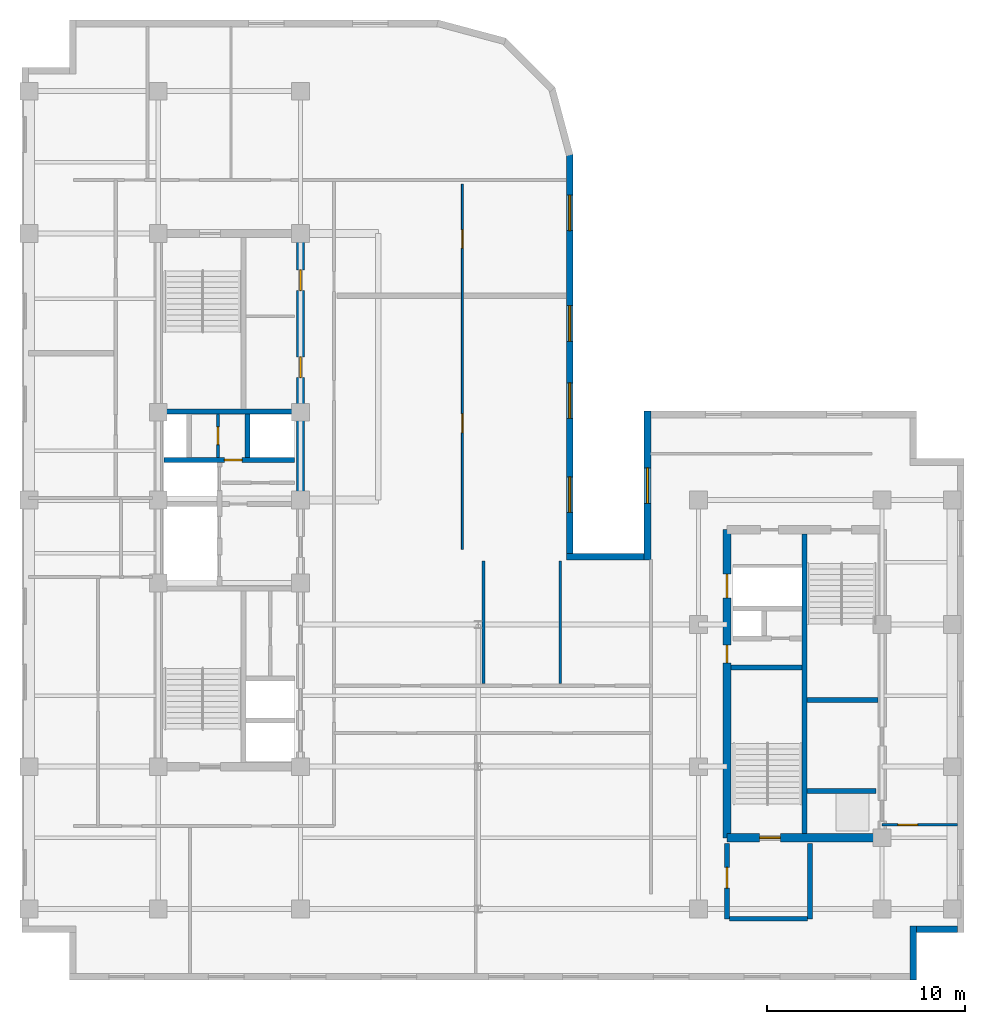
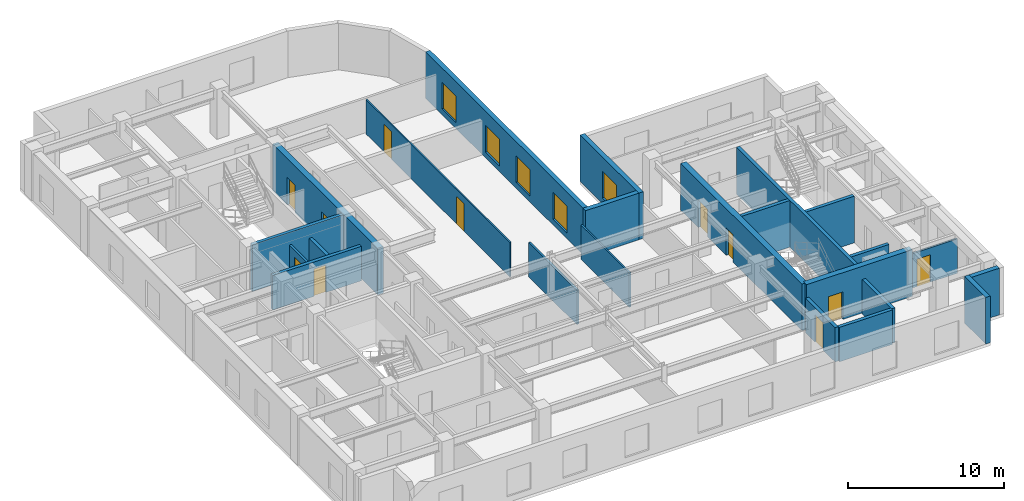
# One storey, part 5 of 11: 23 walls, 11 doors, 5 windows, 16 openings.
"""IFC4 building model written with IfcOpenShell, lengths in metres."""

from ifc_helpers import new_model, entity, si_unit, converted_unit, direction, frame, origin_with_axes, origin_2d_with_axis, place, context, subcontext, project, spatial, polyline, rectangle, outline, extrude, material, layer, layer_set, type_object, element, fill, save


model = new_model("IFC4")

# Units and contexts
model_context = context("Model", 3, precision=1e-05, world=origin_with_axes(), true_north=direction((0.0, 1.0)))
body_context = subcontext(model_context, "Body", "Model", "MODEL_VIEW")
ifc_project = project(units=[si_unit("LENGTHUNIT", "METRE"), si_unit("AREAUNIT", "SQUARE_METRE"), si_unit("VOLUMEUNIT", "CUBIC_METRE"), converted_unit("PLANEANGLEUNIT", "DEGREE", entity("IfcPlaneAngleMeasure", 0.017453292519943295), si_unit("PLANEANGLEUNIT", "RADIAN"), dimensions=[0, 0, 0, 0, 0, 0, 0]), si_unit("MASSUNIT", "GRAM", prefix="KILO"), si_unit("THERMODYNAMICTEMPERATUREUNIT", "KELVIN")], contexts=[model_context])

# Site, building, storey
site_placement = place(None, origin_with_axes())
site = spatial("IfcSite", under=ifc_project, at=site_placement, CompositionType="ELEMENT")
building_placement = place(site_placement, origin_with_axes())
building = spatial("IfcBuilding", under=site, at=building_placement, Name="Varnlund Millrace Tower", CompositionType="ELEMENT")
storey_placement = place(building_placement, frame((0.0, 0.0, 224.7), z_axis=(0.0, 0.0, 1.0), x_axis=(1.0, 0.0, 0.0)))
storey = spatial("IfcBuildingStorey", under=building, at=storey_placement, Name="L55", CompositionType="ELEMENT", Elevation=224.7)

# Wall, openings, doors
ifc_material_1 = material(Name="Concrete C60/75", Category="concrete")
ifc_layer_1 = layer(ifc_material_1, 0.42, Name="Concrete C60/75")
ifc_layer_set_1 = layer_set([ifc_layer_1], Name="Concrete C60/75")
wall_type_1 = type_object("IfcWallType", Name="Type-CoreWall-Shear-420-C60", PredefinedType="SHEAR", material=ifc_layer_set_1)
wall_1_placement = place(storey_placement, frame((18.6, 24.3, 0.0), z_axis=(0.0, 0.0, 1.0), x_axis=(0.0, 1.0, 0.0)))
wall_1 = element("IfcWall", 1, at=wall_1_placement, inside=storey, type_object=wall_type_1, Name="Type-CoreWall-Shear-420-C60", PredefinedType="SHEAR", context=body_context, shape_type="SweptSolid", body=[
    extrude(outline(polyline([(0.0, -0.21), (13.5, -0.21), (13.5, 0.21), (0.0, 0.21), (0.0, -0.21)])), origin_with_axes(), (0.0, 0.0, 1.0), 3.66),
])
opening_1_placement = place(wall_1_placement, frame((6.725, 0.0, 0.0), z_axis=(0.0, 0.0, 1.0), x_axis=(1.0, 0.0, 0.0)))
opening_1 = element("IfcOpeningElement", 2, at=opening_1_placement, cuts=wall_1, Name="Opening L55:DR-RECL-M1", PredefinedType="OPENING", context=body_context, shape_type="SweptSolid", body=[
    extrude(rectangle(XDim=1.05, YDim=0.44, at=origin_2d_with_axis()), origin_with_axes(), (0.0, 0.0, 1.0), 2.15),
])
opening_2_placement = place(wall_1_placement, frame((11.125, 0.0, 0.0), z_axis=(0.0, 0.0, 1.0), x_axis=(1.0, 0.0, 0.0)))
opening_2 = element("IfcOpeningElement", 3, at=opening_2_placement, cuts=wall_1, Name="Opening L55:DR-RECL-M2", PredefinedType="OPENING", context=body_context, shape_type="SweptSolid", body=[
    extrude(rectangle(XDim=1.05, YDim=0.44, at=origin_2d_with_axis()), origin_with_axes(), (0.0, 0.0, 1.0), 2.15),
])
ifc_material_2 = material(Name="Smoke-barrier hollow steel fire door", Category="steel")
door_type_1 = type_object("IfcDoorType", Name="Type-FireDoor-Lobby-1050X2150", OperationType="NOTDEFINED", PredefinedType="DOOR", material=ifc_material_2)
door_1_placement = place(wall_1_placement, frame((6.725, 0.0, 0.0), z_axis=(0.0, 0.0, 1.0), x_axis=(1.0, 0.0, 0.0)))
door_1 = element("IfcDoor", 4, at=door_1_placement, inside=storey, type_object=door_type_1, Name="Type-FireDoor-Lobby-1050X2150", OperationType="SINGLE_SWING_LEFT", OverallHeight=2.15, OverallWidth=1.05, PredefinedType="DOOR", context=body_context, shape_type="SweptSolid", body=[
    extrude(rectangle(XDim=1.05, YDim=0.09, at=origin_2d_with_axis()), origin_with_axes(), (0.0, 0.0, 1.0), 2.15),
])
fill(opening_1, door_1)
door_2_placement = place(wall_1_placement, frame((11.125, 0.0, 0.0), z_axis=(0.0, 0.0, 1.0), x_axis=(1.0, 0.0, 0.0)))
door_2 = element("IfcDoor", 5, at=door_2_placement, inside=storey, type_object=door_type_1, Name="Type-FireDoor-Lobby-1050X2150", OperationType="SINGLE_SWING_RIGHT", OverallHeight=2.15, OverallWidth=1.05, PredefinedType="DOOR", context=body_context, shape_type="SweptSolid", body=[
    extrude(rectangle(XDim=1.05, YDim=0.09, at=origin_2d_with_axis()), origin_with_axes(), (0.0, 0.0, 1.0), 2.15),
])
fill(opening_2, door_2)

wall_2_placement = place(storey_placement, frame((40.2, 7.2, 0.0), z_axis=(0.0, 0.0, 1.0), x_axis=(0.0, 1.0, 0.0)))
wall_2 = element("IfcWall", 6, at=wall_2_placement, inside=storey, type_object=wall_type_1, Name="Type-CoreWall-Shear-420-C60", PredefinedType="SHEAR", context=body_context, shape_type="SweptSolid", body=[
    extrude(outline(polyline([(0.0, -0.21), (15.6, -0.21), (15.6, 0.21), (0.0, 0.21), (0.0, -0.21)])), origin_with_axes(), (0.0, 0.0, 1.0), 3.66),
])
opening_3_placement = place(wall_2_placement, frame((12.75, 0.0, 0.0), z_axis=(0.0, 0.0, 1.0), x_axis=(1.0, 0.0, 0.0)))
opening_3 = element("IfcOpeningElement", 7, at=opening_3_placement, cuts=wall_2, Name="Opening L55:LD-SRV2", PredefinedType="OPENING", context=body_context, shape_type="SweptSolid", body=[
    extrude(rectangle(XDim=1.2, YDim=0.44, at=origin_2d_with_axis()), origin_with_axes(), (0.0, 0.0, 1.0), 2.15),
])
opening_4_placement = place(wall_2_placement, frame((9.3, 0.0, 0.0), z_axis=(0.0, 0.0, 1.0), x_axis=(1.0, 0.0, 0.0)))
opening_4 = element("IfcOpeningElement", 8, at=opening_4_placement, cuts=wall_2, Name="Opening L55:DR-CB-JAN", PredefinedType="OPENING", context=body_context, shape_type="SweptSolid", body=[
    extrude(rectangle(XDim=0.9, YDim=0.44, at=origin_2d_with_axis()), origin_with_axes(), (0.0, 0.0, 1.0), 2.15),
])
ifc_material_3 = material(Name="Fire-rated hollow steel service closet door", Category="steel")
door_type_2 = type_object("IfcDoorType", Name="Type-FireDoor-Closet-900X2150", OperationType="NOTDEFINED", PredefinedType="DOOR", material=ifc_material_3)
door_3_placement = place(wall_2_placement, frame((9.3, 0.0, 0.0), z_axis=(0.0, 0.0, 1.0), x_axis=(1.0, 0.0, 0.0)))
door_3 = element("IfcDoor", 9, at=door_3_placement, inside=storey, type_object=door_type_2, Name="Type-FireDoor-Closet-900X2150", OperationType="SINGLE_SWING_RIGHT", OverallHeight=2.15, OverallWidth=0.9, PredefinedType="DOOR", context=body_context, shape_type="SweptSolid", body=[
    extrude(rectangle(XDim=0.9, YDim=0.09, at=origin_2d_with_axis()), origin_with_axes(), (0.0, 0.0, 1.0), 2.15),
])
fill(opening_4, door_3)
ifc_material_4 = material(Name="Heavy-duty freight sliding landing door")
door_type_3 = type_object("IfcDoorType", Name="Type-LiftLandingDoor-Service-1200X2150", OperationType="NOTDEFINED", PredefinedType="DOOR", material=ifc_material_4)
door_4_placement = place(wall_2_placement, frame((12.75, 0.0, 0.0), z_axis=(0.0, 0.0, 1.0), x_axis=(1.0, 0.0, 0.0)))
door_4 = element("IfcDoor", 10, at=door_4_placement, inside=storey, type_object=door_type_3, Name="Type-LiftLandingDoor-Service-1200X2150", OperationType="DOUBLE_DOOR_SLIDING", OverallHeight=2.15, OverallWidth=1.2, PredefinedType="DOOR", context=body_context, shape_type="SweptSolid", body=[
    extrude(rectangle(XDim=1.2, YDim=0.09, at=origin_2d_with_axis()), origin_with_axes(), (0.0, 0.0, 1.0), 2.15),
])
fill(opening_3, door_4)

# Wall, opening, door
wall_3_placement = place(storey_placement, frame((40.2, 7.2, 0.0), z_axis=(0.0, 0.0, 1.0), x_axis=(1.0, 0.0, 0.0)))
wall_3 = element("IfcWall", 11, at=wall_3_placement, inside=storey, type_object=wall_type_1, Name="Type-CoreWall-Shear-420-C60", PredefinedType="SHEAR", context=body_context, shape_type="SweptSolid", body=[
    extrude(outline(polyline([(0.0, -0.21), (7.85, -0.21), (7.85, 0.21), (0.0, 0.21), (0.0, -0.21)])), origin_with_axes(), (0.0, 0.0, 1.0), 3.66),
])
opening_5_placement = place(wall_3_placement, frame((2.175, 0.0, 0.0), z_axis=(0.0, 0.0, 1.0), x_axis=(1.0, 0.0, 0.0)))
opening_5 = element("IfcOpeningElement", 12, at=opening_5_placement, cuts=wall_3, Name="Opening L55:DR-STB1", PredefinedType="OPENING", context=body_context, shape_type="SweptSolid", body=[
    extrude(rectangle(XDim=1.05, YDim=0.44, at=origin_2d_with_axis()), origin_with_axes(), (0.0, 0.0, 1.0), 2.15),
])
ifc_material_5 = material(Name="Fire-rated hollow steel door", Category="steel")
door_type_4 = type_object("IfcDoorType", Name="Type-FireDoor-Stair-1050X2150", OperationType="NOTDEFINED", PredefinedType="DOOR", material=ifc_material_5)
door_5_placement = place(wall_3_placement, frame((2.175, 0.0, 0.0), z_axis=(0.0, 0.0, 1.0), x_axis=(1.0, 0.0, 0.0)))
door_5 = element("IfcDoor", 13, at=door_5_placement, inside=storey, type_object=door_type_4, Name="Type-FireDoor-Stair-1050X2150", OperationType="SINGLE_SWING_LEFT", OverallHeight=2.15, OverallWidth=1.05, PredefinedType="DOOR", context=body_context, shape_type="SweptSolid", body=[
    extrude(rectangle(XDim=1.05, YDim=0.09, at=origin_2d_with_axis()), origin_with_axes(), (0.0, 0.0, 1.0), 2.15),
])
fill(opening_5, door_5)

# Wall, opening, window
ifc_material_6 = material(Name="Precast concrete C50/60", Category="concrete")
ifc_layer_2 = layer(ifc_material_6, 0.34, Name="Precast concrete C50/60")
ifc_layer_set_2 = layer_set([ifc_layer_2], Name="Precast concrete C50/60")
wall_type_2 = type_object("IfcWallType", Name="Type-ExtWall-Precast-Upper-340", PredefinedType="SOLIDWALL", material=ifc_layer_set_2)
wall_4_placement = place(storey_placement, frame((36.17, 21.26, 0.0), z_axis=(0.0, 0.0, 1.0), x_axis=(0.0, 1.0, 0.0)))
wall_4 = element("IfcWall", 14, at=wall_4_placement, inside=storey, type_object=wall_type_2, Name="Type-ExtWall-Precast-Upper-340", PredefinedType="SOLIDWALL", context=body_context, shape_type="SweptSolid", body=[
    extrude(outline(polyline([(0.0, -0.17), (7.54, -0.17), (7.54, 0.17), (0.0, 0.17), (0.0, -0.17)])), origin_with_axes(), (0.0, 0.0, 1.0), 3.66),
])
opening_6_placement = place(wall_4_placement, frame((3.77, 0.0, 0.45), z_axis=(0.0, 0.0, 1.0), x_axis=(1.0, 0.0, 0.0)))
opening_6 = element("IfcOpeningElement", 15, at=opening_6_placement, cuts=wall_4, Name="Opening L55:WN-01", PredefinedType="OPENING", context=body_context, shape_type="SweptSolid", body=[
    extrude(rectangle(XDim=1.8, YDim=0.36, at=origin_2d_with_axis()), origin_with_axes(), (0.0, 0.0, 1.0), 2.1),
])
ifc_material_7 = material(Name="Argon low-e triple glazing in thermally broken bronze frame", Category="glass")
window_type = type_object("IfcWindowType", Name="Type-Window-Punched-1800X2100", PartitioningType="SINGLE_PANEL", PredefinedType="WINDOW", material=ifc_material_7)
window_1_placement = place(wall_4_placement, frame((3.77, 0.0, 0.45), z_axis=(0.0, 0.0, 1.0), x_axis=(1.0, 0.0, 0.0)))
window_1 = element("IfcWindow", 16, at=window_1_placement, inside=storey, type_object=window_type, Name="Type-Window-Punched-1800X2100", OverallHeight=2.1, OverallWidth=1.8, PredefinedType="WINDOW", context=body_context, shape_type="SweptSolid", body=[
    extrude(rectangle(XDim=1.8, YDim=0.09, at=origin_2d_with_axis()), origin_with_axes(), (0.0, 0.0, 1.0), 2.1),
])
fill(opening_6, window_1)

# Walls
wall_5_placement = place(storey_placement, frame((51.86, 2.57, 0.0), z_axis=(0.0, 0.0, 1.0), x_axis=(-1.0, 0.0, 0.0)))
element("IfcWall", 17, at=wall_5_placement, inside=storey, type_object=wall_type_2, Name="Type-ExtWall-Precast-Upper-340", PredefinedType="SOLIDWALL", context=body_context, shape_type="SweptSolid", body=[
    extrude(outline(polyline([(0.0, -0.17), (2.06, -0.17), (2.06, 0.17), (0.0, 0.17), (0.0, -0.17)])), origin_with_axes(), (0.0, 0.0, 1.0), 3.66),
])
wall_6_placement = place(storey_placement, frame((49.63, 2.74, 0.0), z_axis=(0.0, 0.0, 1.0), x_axis=(0.0, -1.0, 0.0)))
element("IfcWall", 18, at=wall_6_placement, inside=storey, type_object=wall_type_2, Name="Type-ExtWall-Precast-Upper-340", PredefinedType="SOLIDWALL", context=body_context, shape_type="SweptSolid", body=[
    extrude(outline(polyline([(0.0, -0.17), (2.74, -0.17), (2.74, 0.17), (0.0, 0.17), (0.0, -0.17)])), origin_with_axes(), (0.0, 0.0, 1.0), 3.66),
])

# Wall, openings, windows
wall_7_placement = place(storey_placement, frame((32.23, 41.82, 0.0), z_axis=(0.0, 0.0, 1.0), x_axis=(0.0, -1.0, 0.0)))
wall_7 = element("IfcWall", 19, at=wall_7_placement, inside=storey, type_object=wall_type_2, Name="Type-ExtWall-Precast-Upper-340", PredefinedType="SOLIDWALL", context=body_context, shape_type="SweptSolid", body=[
    extrude(outline(polyline([(0.0, -0.17), (20.22, -0.17), (20.22, 0.17), (0.0, 0.17), (0.0, -0.17)])), origin_with_axes(), (0.0, 0.0, 1.0), 3.66),
])
opening_7_placement = place(wall_7_placement, frame((2.978, 0.0, 0.45), z_axis=(0.0, 0.0, 1.0), x_axis=(1.0, 0.0, 0.0)))
opening_7 = element("IfcOpeningElement", 20, at=opening_7_placement, cuts=wall_7, Name="Opening L55:WN-24", PredefinedType="OPENING", context=body_context, shape_type="SweptSolid", body=[
    extrude(rectangle(XDim=1.8, YDim=0.36, at=origin_2d_with_axis()), origin_with_axes(), (0.0, 0.0, 1.0), 2.1),
])
opening_8_placement = place(wall_7_placement, frame((8.582, 0.0, 0.45), z_axis=(0.0, 0.0, 1.0), x_axis=(1.0, 0.0, 0.0)))
opening_8 = element("IfcOpeningElement", 21, at=opening_8_placement, cuts=wall_7, Name="Opening L55:WN-25", PredefinedType="OPENING", context=body_context, shape_type="SweptSolid", body=[
    extrude(rectangle(XDim=1.8, YDim=0.36, at=origin_2d_with_axis()), origin_with_axes(), (0.0, 0.0, 1.0), 2.1),
])
opening_9_placement = place(wall_7_placement, frame((12.487, 0.0, 0.45), z_axis=(0.0, 0.0, 1.0), x_axis=(1.0, 0.0, 0.0)))
opening_9 = element("IfcOpeningElement", 22, at=opening_9_placement, cuts=wall_7, Name="Opening L55:WN-26", PredefinedType="OPENING", context=body_context, shape_type="SweptSolid", body=[
    extrude(rectangle(XDim=1.8, YDim=0.36, at=origin_2d_with_axis()), origin_with_axes(), (0.0, 0.0, 1.0), 2.1),
])
opening_10_placement = place(wall_7_placement, frame((17.243, 0.0, 0.45), z_axis=(0.0, 0.0, 1.0), x_axis=(1.0, 0.0, 0.0)))
opening_10 = element("IfcOpeningElement", 23, at=opening_10_placement, cuts=wall_7, Name="Opening L55:WN-27", PredefinedType="OPENING", context=body_context, shape_type="SweptSolid", body=[
    extrude(rectangle(XDim=1.8, YDim=0.36, at=origin_2d_with_axis()), origin_with_axes(), (0.0, 0.0, 1.0), 2.1),
])
window_2_placement = place(wall_7_placement, frame((2.978, 0.0, 0.45), z_axis=(0.0, 0.0, 1.0), x_axis=(1.0, 0.0, 0.0)))
window_2 = element("IfcWindow", 24, at=window_2_placement, inside=storey, type_object=window_type, Name="Type-Window-Punched-1800X2100", OverallHeight=2.1, OverallWidth=1.8, PredefinedType="WINDOW", context=body_context, shape_type="SweptSolid", body=[
    extrude(rectangle(XDim=1.8, YDim=0.09, at=origin_2d_with_axis()), origin_with_axes(), (0.0, 0.0, 1.0), 2.1),
])
fill(opening_7, window_2)
window_3_placement = place(wall_7_placement, frame((8.582, 0.0, 0.45), z_axis=(0.0, 0.0, 1.0), x_axis=(1.0, 0.0, 0.0)))
window_3 = element("IfcWindow", 25, at=window_3_placement, inside=storey, type_object=window_type, Name="Type-Window-Punched-1800X2100", OverallHeight=2.1, OverallWidth=1.8, PredefinedType="WINDOW", context=body_context, shape_type="SweptSolid", body=[
    extrude(rectangle(XDim=1.8, YDim=0.09, at=origin_2d_with_axis()), origin_with_axes(), (0.0, 0.0, 1.0), 2.1),
])
fill(opening_8, window_3)
window_4_placement = place(wall_7_placement, frame((12.487, 0.0, 0.45), z_axis=(0.0, 0.0, 1.0), x_axis=(1.0, 0.0, 0.0)))
window_4 = element("IfcWindow", 26, at=window_4_placement, inside=storey, type_object=window_type, Name="Type-Window-Punched-1800X2100", OverallHeight=2.1, OverallWidth=1.8, PredefinedType="WINDOW", context=body_context, shape_type="SweptSolid", body=[
    extrude(rectangle(XDim=1.8, YDim=0.09, at=origin_2d_with_axis()), origin_with_axes(), (0.0, 0.0, 1.0), 2.1),
])
fill(opening_9, window_4)
window_5_placement = place(wall_7_placement, frame((17.243, 0.0, 0.45), z_axis=(0.0, 0.0, 1.0), x_axis=(1.0, 0.0, 0.0)))
window_5 = element("IfcWindow", 27, at=window_5_placement, inside=storey, type_object=window_type, Name="Type-Window-Punched-1800X2100", OverallHeight=2.1, OverallWidth=1.8, PredefinedType="WINDOW", context=body_context, shape_type="SweptSolid", body=[
    extrude(rectangle(XDim=1.8, YDim=0.09, at=origin_2d_with_axis()), origin_with_axes(), (0.0, 0.0, 1.0), 2.1),
])
fill(opening_10, window_5)

# Wall
wall_8_placement = place(storey_placement, frame((32.06, 21.43, 0.0), z_axis=(0.0, 0.0, 1.0), x_axis=(1.0, 0.0, 0.0)))
element("IfcWall", 28, at=wall_8_placement, inside=storey, type_object=wall_type_2, Name="Type-ExtWall-Precast-Upper-340", PredefinedType="SOLIDWALL", context=body_context, shape_type="SweptSolid", body=[
    extrude(outline(polyline([(0.0, -0.17), (3.94, -0.17), (3.94, 0.17), (0.0, 0.17), (0.0, -0.17)])), origin_with_axes(), (0.0, 0.0, 1.0), 3.66),
])

# Wall, opening, door
ifc_material_8 = material(Name="Fire-rated gypsum board on cold-formed steel framing", Category="steel")
ifc_layer_3 = layer(ifc_material_8, 0.16, Name="Fire-rated gypsum board on cold-formed steel framing")
ifc_layer_set_3 = layer_set([ifc_layer_3], Name="Fire-rated gypsum board on cold-formed steel framing")
wall_type_3 = type_object("IfcWallType", Name="Type-Partition-Corridor-160", PredefinedType="PARTITIONING", material=ifc_layer_set_3)
wall_9_placement = place(storey_placement, frame((14.42, 26.45, 0.0), z_axis=(0.0, 0.0, 1.0), x_axis=(0.0, 1.0, 0.0)))
wall_9 = element("IfcWall", 29, at=wall_9_placement, inside=storey, type_object=wall_type_3, Name="Type-Partition-Corridor-160", PredefinedType="PARTITIONING", context=body_context, shape_type="SweptSolid", body=[
    extrude(outline(polyline([(0.0, -0.08), (2.2, -0.08), (2.2, 0.08), (0.0, 0.08), (0.0, -0.08)])), origin_with_axes(), (0.0, 0.0, 1.0), 2.7),
])
opening_11_placement = place(wall_9_placement, frame((1.1, 0.0, 0.0), z_axis=(0.0, 0.0, 1.0), x_axis=(1.0, 0.0, 0.0)))
opening_11 = element("IfcOpeningElement", 30, at=opening_11_placement, cuts=wall_9, Name="Opening L55:DR-CA-EL2", PredefinedType="OPENING", context=body_context, shape_type="SweptSolid", body=[
    extrude(rectangle(XDim=0.9, YDim=0.18, at=origin_2d_with_axis()), origin_with_axes(), (0.0, 0.0, 1.0), 2.15),
])
ifc_material_9 = material(Name="Painted steel riser and closet door", Category="steel")
door_type_5 = type_object("IfcDoorType", Name="Type-IntDoor-Closet-900X2150", OperationType="NOTDEFINED", PredefinedType="DOOR", material=ifc_material_9)
door_6_placement = place(wall_9_placement, frame((1.1, 0.0, 0.0), z_axis=(0.0, 0.0, 1.0), x_axis=(1.0, 0.0, 0.0)))
door_6 = element("IfcDoor", 31, at=door_6_placement, inside=storey, type_object=door_type_5, Name="Type-IntDoor-Closet-900X2150", OperationType="SINGLE_SWING_LEFT", OverallHeight=2.15, OverallWidth=0.9, PredefinedType="DOOR", context=body_context, shape_type="SweptSolid", body=[
    extrude(rectangle(XDim=0.9, YDim=0.09, at=origin_2d_with_axis()), origin_with_axes(), (0.0, 0.0, 1.0), 2.15),
])
fill(opening_11, door_6)

# Wall
ifc_material_10 = material(Name="Acoustic STC-50 gypsum board partition", Category="gypsum")
ifc_layer_4 = layer(ifc_material_10, 0.15, Name="Acoustic STC-50 gypsum board partition")
ifc_layer_set_4 = layer_set([ifc_layer_4], Name="Acoustic STC-50 gypsum board partition")
wall_type_4 = type_object("IfcWallType", Name="Type-Partition-Demising-150", PredefinedType="PARTITIONING", material=ifc_layer_set_4)
wall_10_placement = place(storey_placement, frame((27.873, 15.02, 0.0), z_axis=(0.0, 0.0, 1.0), x_axis=(0.0, 1.0, 0.0)))
element("IfcWall", 32, at=wall_10_placement, inside=storey, type_object=wall_type_4, Name="Type-Partition-Demising-150", PredefinedType="PARTITIONING", context=body_context, shape_type="SweptSolid", body=[
    extrude(outline(polyline([(0.0, -0.075), (6.2, -0.075), (6.2, 0.075), (0.0, 0.075), (0.0, -0.075)])), origin_with_axes(), (0.0, 0.0, 1.0), 2.7),
])

# Wall, openings, doors
ifc_material_11 = material(Name="Architectural bronze and acoustic glass office front", Category="glass")
ifc_layer_5 = layer(ifc_material_11, 0.1, Name="Architectural bronze and acoustic glass office front")
ifc_layer_set_5 = layer_set([ifc_layer_5], Name="Architectural bronze and acoustic glass office front")
wall_type_5 = type_object("IfcWallType", Name="Type-Partition-Glazed-100", PredefinedType="PARTITIONING", material=ifc_layer_set_5)
wall_11_placement = place(storey_placement, frame((26.8, 21.8, 0.0), z_axis=(0.0, 0.0, 1.0), x_axis=(0.0, 1.0, 0.0)))
wall_11 = element("IfcWall", 33, at=wall_11_placement, inside=storey, type_object=wall_type_5, Name="Type-Partition-Glazed-100", PredefinedType="PARTITIONING", context=body_context, shape_type="SweptSolid", body=[
    extrude(outline(polyline([(0.0, -0.05), (18.5, -0.05), (18.5, 0.05), (0.0, 0.05), (0.0, -0.05)])), origin_with_axes(), (0.0, 0.0, 1.0), 2.7),
])
opening_12_placement = place(wall_11_placement, frame((6.392, 0.0, 0.0), z_axis=(0.0, 0.0, 1.0), x_axis=(1.0, 0.0, 0.0)))
opening_12 = element("IfcOpeningElement", 34, at=opening_12_placement, cuts=wall_11, Name="Opening L55:DR-FLR-S01", PredefinedType="OPENING", context=body_context, shape_type="SweptSolid", body=[
    extrude(rectangle(XDim=0.95, YDim=0.12, at=origin_2d_with_axis()), origin_with_axes(), (0.0, 0.0, 1.0), 2.15),
])
opening_13_placement = place(wall_11_placement, frame((15.712, 0.0, 0.0), z_axis=(0.0, 0.0, 1.0), x_axis=(1.0, 0.0, 0.0)))
opening_13 = element("IfcOpeningElement", 35, at=opening_13_placement, cuts=wall_11, Name="Opening L55:DR-FLR-S02", PredefinedType="OPENING", context=body_context, shape_type="SweptSolid", body=[
    extrude(rectangle(XDim=0.95, YDim=0.12, at=origin_2d_with_axis()), origin_with_axes(), (0.0, 0.0, 1.0), 2.15),
])
ifc_material_12 = material(Name="Solid-core acoustic office door")
door_type_6 = type_object("IfcDoorType", Name="Type-IntDoor-Tenant-950X2150", OperationType="NOTDEFINED", PredefinedType="DOOR", material=ifc_material_12)
door_7_placement = place(wall_11_placement, frame((6.392, 0.0, 0.0), z_axis=(0.0, 0.0, 1.0), x_axis=(1.0, 0.0, 0.0)))
door_7 = element("IfcDoor", 36, at=door_7_placement, inside=storey, type_object=door_type_6, Name="Type-IntDoor-Tenant-950X2150", OperationType="SINGLE_SWING_LEFT", OverallHeight=2.15, OverallWidth=0.95, PredefinedType="DOOR", context=body_context, shape_type="SweptSolid", body=[
    extrude(rectangle(XDim=0.95, YDim=0.06, at=origin_2d_with_axis()), origin_with_axes(), (0.0, 0.0, 1.0), 2.15),
])
fill(opening_12, door_7)
door_8_placement = place(wall_11_placement, frame((15.712, 0.0, 0.0), z_axis=(0.0, 0.0, 1.0), x_axis=(1.0, 0.0, 0.0)))
door_8 = element("IfcDoor", 37, at=door_8_placement, inside=storey, type_object=door_type_6, Name="Type-IntDoor-Tenant-950X2150", OperationType="SINGLE_SWING_LEFT", OverallHeight=2.15, OverallWidth=0.95, PredefinedType="DOOR", context=body_context, shape_type="SweptSolid", body=[
    extrude(rectangle(XDim=0.95, YDim=0.06, at=origin_2d_with_axis()), origin_with_axes(), (0.0, 0.0, 1.0), 2.15),
])
fill(opening_13, door_8)

# Wall
ifc_material_13 = material(Name="Gypsum board tenant partition", Category="gypsum")
ifc_layer_6 = layer(ifc_material_13, 0.125, Name="Gypsum board tenant partition")
ifc_layer_set_6 = layer_set([ifc_layer_6], Name="Gypsum board tenant partition")
wall_type_6 = type_object("IfcWallType", Name="Type-Partition-Tenant-125", PredefinedType="PARTITIONING", material=ifc_layer_set_6)
wall_12_placement = place(storey_placement, frame((31.748, 15.02, 0.0), z_axis=(0.0, 0.0, 1.0), x_axis=(0.0, 1.0, 0.0)))
element("IfcWall", 38, at=wall_12_placement, inside=storey, type_object=wall_type_6, Name="Type-Partition-Tenant-125", PredefinedType="PARTITIONING", context=body_context, shape_type="SweptSolid", body=[
    extrude(outline(polyline([(0.0, -0.0625), (6.2, -0.0625), (6.2, 0.0625), (0.0, 0.0625), (0.0, -0.0625)])), origin_with_axes(), (0.0, 0.0, 1.0), 2.7),
])

# Wall, opening, door
wall_13_placement = place(storey_placement, frame((51.865, 7.85, 0.0), z_axis=(0.0, 0.0, 1.0), x_axis=(-1.0, 0.0, 0.0)))
wall_13 = element("IfcWall", 39, at=wall_13_placement, inside=storey, type_object=wall_type_6, Name="Type-Partition-Tenant-125", PredefinedType="PARTITIONING", context=body_context, shape_type="SweptSolid", body=[
    extrude(outline(polyline([(0.0, -0.0625), (3.815, -0.0625), (3.815, 0.0625), (0.0, 0.0625), (0.0, -0.0625)])), origin_with_axes(), (0.0, 0.0, 1.0), 2.7),
])
opening_14_placement = place(wall_13_placement, frame((2.515, 0.0, 0.0), z_axis=(0.0, 0.0, 1.0), x_axis=(1.0, 0.0, 0.0)))
opening_14 = element("IfcOpeningElement", 40, at=opening_14_placement, cuts=wall_13, Name="Opening L55:DR-WBS-01", PredefinedType="OPENING", context=body_context, shape_type="SweptSolid", body=[
    extrude(rectangle(XDim=1.0, YDim=0.145, at=origin_2d_with_axis()), origin_with_axes(), (0.0, 0.0, 1.0), 2.15),
])
ifc_material_14 = material(Name="Solid-core white oak and bronze frame door")
door_type_7 = type_object("IfcDoorType", Name="Type-IntDoor-Office-1000X2150", OperationType="NOTDEFINED", PredefinedType="DOOR", material=ifc_material_14)
door_9_placement = place(wall_13_placement, frame((2.515, 0.0, 0.0), z_axis=(0.0, 0.0, 1.0), x_axis=(1.0, 0.0, 0.0)))
door_9 = element("IfcDoor", 41, at=door_9_placement, inside=storey, type_object=door_type_7, Name="Type-IntDoor-Office-1000X2150", OperationType="SINGLE_SWING_LEFT", OverallHeight=2.15, OverallWidth=1.0, PredefinedType="DOOR", context=body_context, shape_type="SweptSolid", body=[
    extrude(rectangle(XDim=1.0, YDim=0.075, at=origin_2d_with_axis()), origin_with_axes(), (0.0, 0.0, 1.0), 2.15),
])
fill(opening_14, door_9)

ifc_layer_7 = layer(ifc_material_1, 0.25, Name="Concrete C60/75")
ifc_layer_set_7 = layer_set([ifc_layer_7], Name="Concrete C60/75")
wall_type_7 = type_object("IfcWallType", Name="Type-ShaftWall-Fire-250", PredefinedType="SOLIDWALL", material=ifc_layer_set_7)
wall_14_placement = place(storey_placement, frame((11.7, 26.325, 0.0), z_axis=(0.0, 0.0, 1.0), x_axis=(1.0, 0.0, 0.0)))
wall_14 = element("IfcWall", 42, at=wall_14_placement, inside=storey, type_object=wall_type_7, Name="Type-ShaftWall-Fire-250", PredefinedType="SOLIDWALL", context=body_context, shape_type="SweptSolid", body=[
    extrude(outline(polyline([(0.0, -0.125), (6.6, -0.125), (6.6, 0.125), (0.0, 0.125), (0.0, -0.125)])), origin_with_axes(), (0.0, 0.0, 1.0), 2.7),
])
opening_15_placement = place(wall_14_placement, frame((3.5, 0.0, 0.0), z_axis=(0.0, 0.0, 1.0), x_axis=(1.0, 0.0, 0.0)))
opening_15 = element("IfcOpeningElement", 43, at=opening_15_placement, cuts=wall_14, Name="Opening L55:DR-CA-EL1", PredefinedType="OPENING", context=body_context, shape_type="SweptSolid", body=[
    extrude(rectangle(XDim=0.9, YDim=0.27, at=origin_2d_with_axis()), origin_with_axes(), (0.0, 0.0, 1.0), 2.15),
])
door_10_placement = place(wall_14_placement, frame((3.5, 0.0, 0.0), z_axis=(0.0, 0.0, 1.0), x_axis=(1.0, 0.0, 0.0)))
door_10 = element("IfcDoor", 44, at=door_10_placement, inside=storey, type_object=door_type_2, Name="Type-FireDoor-Closet-900X2150", OperationType="SINGLE_SWING_LEFT", OverallHeight=2.15, OverallWidth=0.9, PredefinedType="DOOR", context=body_context, shape_type="SweptSolid", body=[
    extrude(rectangle(XDim=0.9, YDim=0.09, at=origin_2d_with_axis()), origin_with_axes(), (0.0, 0.0, 1.0), 2.15),
])
fill(opening_15, door_10)

# Wall
wall_15_placement = place(storey_placement, frame((15.925, 26.45, 0.0), z_axis=(0.0, 0.0, 1.0), x_axis=(0.0, 1.0, 0.0)))
element("IfcWall", 45, at=wall_15_placement, inside=storey, type_object=wall_type_7, Name="Type-ShaftWall-Fire-250", PredefinedType="SOLIDWALL", context=body_context, shape_type="SweptSolid", body=[
    extrude(outline(polyline([(0.0, -0.125), (2.2, -0.125), (2.2, 0.125), (0.0, 0.125), (0.0, -0.125)])), origin_with_axes(), (0.0, 0.0, 1.0), 2.7),
])

# Wall, opening, door
wall_16_placement = place(storey_placement, frame((40.2, 3.1, 0.0), z_axis=(0.0, 0.0, 1.0), x_axis=(0.0, 1.0, 0.0)))
wall_16 = element("IfcWall", 46, at=wall_16_placement, inside=storey, type_object=wall_type_7, Name="Type-ShaftWall-Fire-250", PredefinedType="SOLIDWALL", context=body_context, shape_type="SweptSolid", body=[
    extrude(outline(polyline([(0.0, -0.125), (3.8, -0.125), (3.8, 0.125), (0.0, 0.125), (0.0, -0.125)])), origin_with_axes(), (0.0, 0.0, 1.0), 2.7),
])
opening_16_placement = place(wall_16_placement, frame((2.075, 0.0, 0.0), z_axis=(0.0, 0.0, 1.0), x_axis=(1.0, 0.0, 0.0)))
opening_16 = element("IfcOpeningElement", 47, at=opening_16_placement, cuts=wall_16, Name="Opening L55:DR-FFLOB-B", PredefinedType="OPENING", context=body_context, shape_type="SweptSolid", body=[
    extrude(rectangle(XDim=1.05, YDim=0.27, at=origin_2d_with_axis()), origin_with_axes(), (0.0, 0.0, 1.0), 2.15),
])
door_11_placement = place(wall_16_placement, frame((2.075, 0.0, 0.0), z_axis=(0.0, 0.0, 1.0), x_axis=(1.0, 0.0, 0.0)))
door_11 = element("IfcDoor", 48, at=door_11_placement, inside=storey, type_object=door_type_1, Name="Type-FireDoor-Lobby-1050X2150", OperationType="SINGLE_SWING_LEFT", OverallHeight=2.15, OverallWidth=1.05, PredefinedType="DOOR", context=body_context, shape_type="SweptSolid", body=[
    extrude(rectangle(XDim=1.05, YDim=0.09, at=origin_2d_with_axis()), origin_with_axes(), (0.0, 0.0, 1.0), 2.15),
])
fill(opening_16, door_11)

# Walls
wall_17_placement = place(storey_placement, frame((40.325, 3.1, 0.0), z_axis=(0.0, 0.0, 1.0), x_axis=(1.0, 0.0, 0.0)))
element("IfcWall", 49, at=wall_17_placement, inside=storey, type_object=wall_type_7, Name="Type-ShaftWall-Fire-250", PredefinedType="SOLIDWALL", context=body_context, shape_type="SweptSolid", body=[
    extrude(outline(polyline([(0.0, -0.125), (3.95, -0.125), (3.95, 0.125), (0.0, 0.125), (0.0, -0.125)])), origin_with_axes(), (0.0, 0.0, 1.0), 2.7),
])
wall_18_placement = place(storey_placement, frame((44.4, 3.1, 0.0), z_axis=(0.0, 0.0, 1.0), x_axis=(0.0, 1.0, 0.0)))
element("IfcWall", 50, at=wall_18_placement, inside=storey, type_object=wall_type_7, Name="Type-ShaftWall-Fire-250", PredefinedType="SOLIDWALL", context=body_context, shape_type="SweptSolid", body=[
    extrude(outline(polyline([(0.0, -0.125), (3.8, -0.125), (3.8, 0.125), (0.0, 0.125), (0.0, -0.125)])), origin_with_axes(), (0.0, 0.0, 1.0), 2.7),
])
wall_19_placement = place(storey_placement, frame((44.25, 9.56, 0.0), z_axis=(0.0, 0.0, 1.0), x_axis=(1.0, 0.0, 0.0)))
element("IfcWall", 51, at=wall_19_placement, inside=storey, type_object=wall_type_7, Name="Type-ShaftWall-Fire-250", PredefinedType="SOLIDWALL", context=body_context, shape_type="SweptSolid", body=[
    extrude(outline(polyline([(0.0, -0.125), (3.5, -0.125), (3.5, 0.125), (0.0, 0.125), (0.0, -0.125)])), origin_with_axes(), (0.0, 0.0, 1.0), 2.7),
])
wall_type_8 = type_object("IfcWallType", Name="Type-StairWall-Shear-250", PredefinedType="SHEAR", material=ifc_layer_set_7)
wall_20_placement = place(storey_placement, frame((11.61, 28.775, 0.0), z_axis=(0.0, 0.0, 1.0), x_axis=(1.0, 0.0, 0.0)))
element("IfcWall", 52, at=wall_20_placement, inside=storey, type_object=wall_type_8, Name="Type-StairWall-Shear-250", PredefinedType="SHEAR", context=body_context, shape_type="SweptSolid", body=[
    extrude(outline(polyline([(0.0, -0.125), (6.78, -0.125), (6.78, 0.125), (0.0, 0.125), (0.0, -0.125)])), origin_with_axes(), (0.0, 0.0, 1.0), 3.66),
])
wall_21_placement = place(storey_placement, frame((44.125, 7.41, 0.0), z_axis=(0.0, 0.0, 1.0), x_axis=(0.0, 1.0, 0.0)))
element("IfcWall", 53, at=wall_21_placement, inside=storey, type_object=wall_type_8, Name="Type-StairWall-Shear-250", PredefinedType="SHEAR", context=body_context, shape_type="SweptSolid", body=[
    extrude(outline(polyline([(0.0, -0.125), (15.18, -0.125), (15.18, 0.125), (0.0, 0.125), (0.0, -0.125)])), origin_with_axes(), (0.0, 0.0, 1.0), 3.66),
])
for number, where, z_axis, x_axis, name in (
    (54, (40.41, 15.825, 0.0), (0.0, 0.0, 1.0), (1.0, 0.0, 0.0), "Type-StairWall-Shear-250"),
    (55, (44.25, 14.175, 0.0), (0.0, 0.0, 1.0), (1.0, 0.0, 0.0), "Type-StairWall-Shear-250"),
):
    element("IfcWall", number, at=place(storey_placement, frame(where, z_axis=z_axis, x_axis=x_axis)), inside=storey, type_object=wall_type_8, Name=name, PredefinedType="SHEAR", context=body_context, shape_type="SweptSolid", body=[
        extrude(outline(polyline([(0.0, -0.125), (3.59, -0.125), (3.59, 0.125), (0.0, 0.125), (0.0, -0.125)])), origin_with_axes(), (0.0, 0.0, 1.0), 3.66),
    ])

save(model, "model.ifc")
